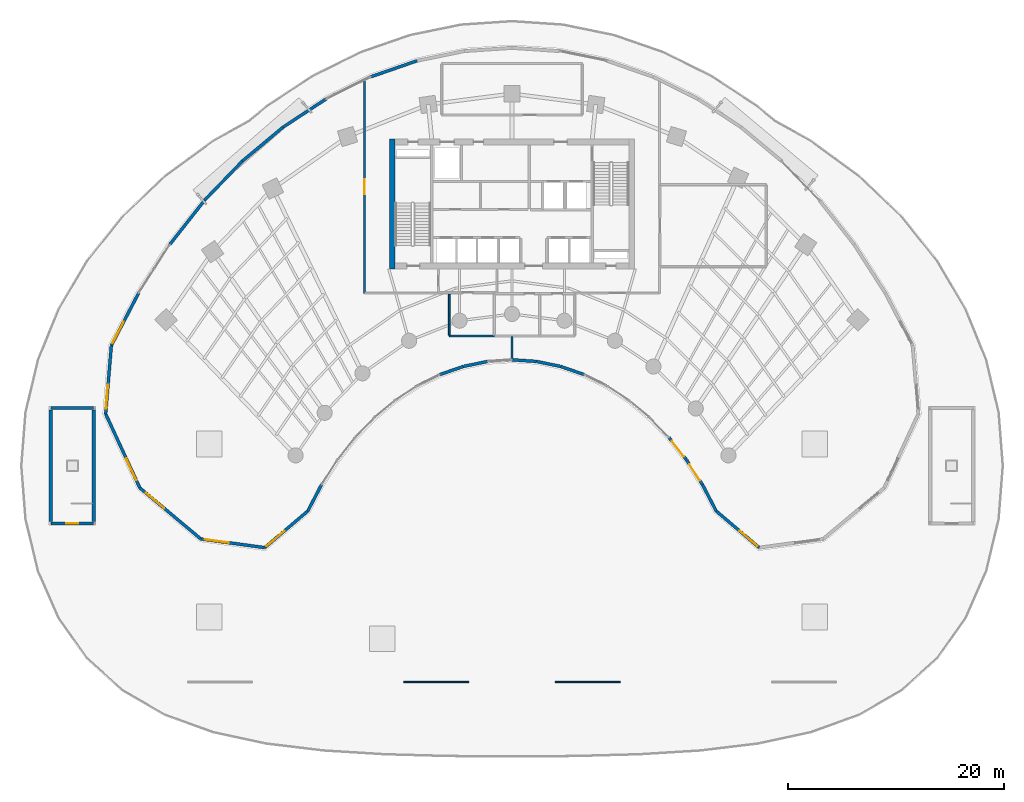
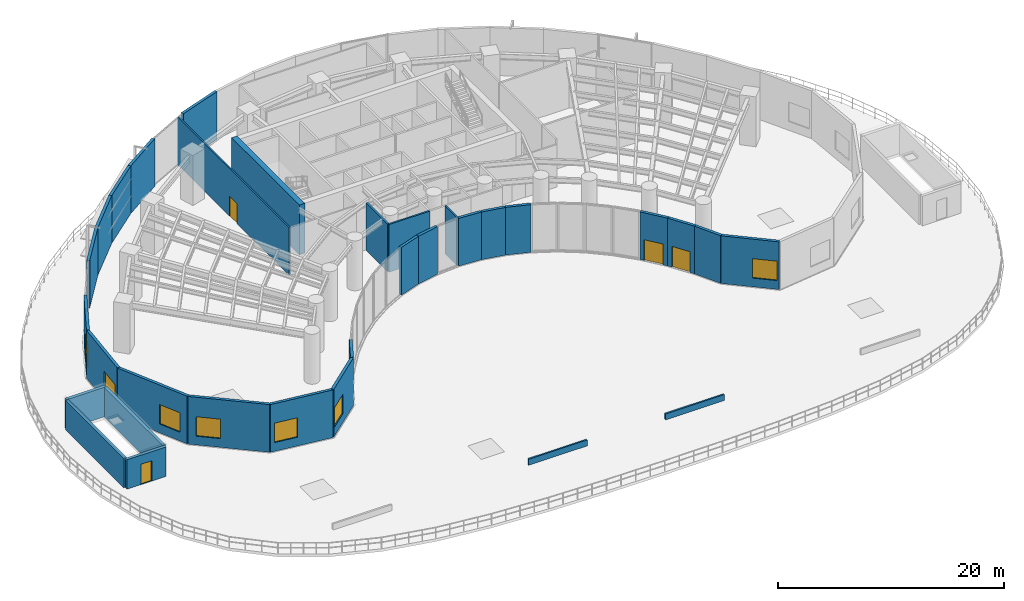
# One storey, part 9 of 17: 32 walls, 7 windows, 4 doors, 11 openings.
"""IFC4 building model written with IfcOpenShell, lengths in metres."""

from ifc_helpers import new_model, si_unit, direction, frame, frame_2d, origin, place, context, subcontext, project, spatial, rectangle, extrude, source, transform, mapped, material, layer, layer_set, type_object, type_shapes, element, fill, save


model = new_model("IFC4")

# Units and contexts
model_context = context("Model", 3, precision=1e-05, world=origin(), true_north=direction((0.0, 1.0)))
body_context = subcontext(model_context, "Body", "Model", "MODEL_VIEW")
ifc_project = project(units=[si_unit("LENGTHUNIT", "METRE"), si_unit("AREAUNIT", "SQUARE_METRE"), si_unit("VOLUMEUNIT", "CUBIC_METRE"), si_unit("PLANEANGLEUNIT", "RADIAN"), si_unit("MASSUNIT", "GRAM", prefix="KILO")], contexts=[model_context])

# Site, building, storey
site_placement = place(None, origin())
site = spatial("IfcSite", under=ifc_project, at=site_placement, CompositionType="ELEMENT")
building_placement = place(site_placement, origin())
building = spatial("IfcBuilding", under=site, at=building_placement, Name="Breltana Convention Tower", CompositionType="ELEMENT")
storey_placement = place(building_placement, frame((0.0, 0.0, 30.0)))
storey = spatial("IfcBuildingStorey", under=building, at=storey_placement, Name="L05", CompositionType="ELEMENT", Elevation=30.0)

# Wall
ifc_material_1 = material(Name="Concrete C60/75", Category="concrete")
ifc_layer_1 = layer(ifc_material_1, 0.550048828125, Name="Concrete C60/75")
ifc_layer_set_1 = layer_set([ifc_layer_1], Name="Concrete C60/75")
wall_type_1 = type_object("IfcWallType", Name="SW-CORE-550", PredefinedType="SHEAR", material=ifc_layer_set_1)
shared_shape_1 = source(origin(), body_context, "Body", "SweptSolid", [
    extrude(rectangle(XDim=12.0, YDim=0.550048828125, at=frame_2d((6.0, 0.0))), origin(), (0.0, 0.0, 1.0), 5.39990234375),
])
wall_1_placement = place(storey_placement, frame((36.925048828125, 60.199951171875, 0.0), z_axis=(0.0, 0.0, 1.0), x_axis=(0.0, 1.0, 0.0)))
element("IfcWall", 1, at=wall_1_placement, inside=storey, type_object=wall_type_1, Name="L05 West Core Shear Wall", PredefinedType="SHEAR", context=body_context, shape_type="MappedRepresentation", body=[
    mapped(shared_shape_1, transform((0.0, 0.0, 0.0), scale=1.0)),
])

# Wall, opening, window
ifc_material_2 = material(Name="Limestone Buff Insulated Wall", Category="masonry")
ifc_layer_2 = layer(ifc_material_2, 0.280029296875, Name="Limestone Buff Insulated Wall")
ifc_layer_set_2 = layer_set([ifc_layer_2], Name="Limestone Buff Insulated Wall")
wall_type_2 = type_object("IfcWallType", Name="WL-EXT-NOSE-280", PredefinedType="SOLIDWALL", material=ifc_layer_set_2)
shared_shape_2 = source(origin(), body_context, "Body", "SweptSolid", [
    extrude(rectangle(XDim=6.3525390625, YDim=0.280029296875, at=frame_2d((3.17626953125, 0.0))), origin(), (0.0, 0.0, 1.0), 5.159912109375),
])
type_shapes(wall_type_2, [shared_shape_2])
wall_2_placement = place(storey_placement, frame((10.417724609375, 46.79150390625, 0.0), z_axis=(0.0, 0.0, 1.0), x_axis=(0.083319001377, 0.996522926986, 0.0)))
wall_2 = element("IfcWall", 2, at=wall_2_placement, inside=storey, type_object=wall_type_2, Name="L05 curved limestone nose wall W6", PredefinedType="SOLIDWALL", context=body_context, shape_type="MappedRepresentation", body=[
    mapped(shared_shape_2, transform((0.0, 0.0, 0.0), scale=1.0)),
])
opening_1_placement = place(wall_2_placement, frame((0.488037109375, 0.0, 0.949951171875)))
opening_1 = element("IfcOpeningElement", 3, at=opening_1_placement, cuts=wall_2, Name="Opening W-03", PredefinedType="OPENING", context=body_context, shape_type="SweptSolid", body=[
    extrude(rectangle(XDim=2.199951171875, YDim=2.10009765625, at=frame_2d((1.10009765625, 1.050048828125))), frame((0.0, 0.14990234375, 0.0), z_axis=(0.0, -1.0, 0.0), x_axis=(1.0, 0.0, 0.0)), (0.0, 0.0, 1.0), 0.300048828125),
])
ifc_material_3 = material(Name="Glass Low-E Insulated Window", Category="glass")
window_type = type_object("IfcWindowType", Name="WN-NOSE-2200X2100", PartitioningType="TRIPLE_PANEL_VERTICAL", PredefinedType="WINDOW", material=ifc_material_3)
shared_shape_3 = source(origin(), body_context, "Body", "SweptSolid", [
    extrude(rectangle(XDim=2.199951171875, YDim=2.10009765625, at=frame_2d((1.10009765625, 1.050048828125))), frame((0.0, 0.030029296875, 0.0), z_axis=(0.0, -1.0, 0.0), x_axis=(1.0, 0.0, 0.0)), (0.0, 0.0, 1.0), 0.06005859375),
])
type_shapes(window_type, [shared_shape_3])
window_1_placement = place(opening_1_placement, origin())
window_1 = element("IfcWindow", 4, at=window_1_placement, inside=storey, type_object=window_type, Name="L05 nose window W6", OverallHeight=2.10009765625, OverallWidth=2.199951171875, PartitioningType="TRIPLE_PANEL_VERTICAL", PredefinedType="WINDOW", context=body_context, shape_type="MappedRepresentation", body=[
    mapped(shared_shape_3, transform((0.0, 0.0, 0.0), scale=1.0)),
])
fill(opening_1, window_1)

shared_shape_4 = source(origin(), body_context, "Body", "SweptSolid", [
    extrude(rectangle(XDim=7.536376953125, YDim=0.280029296875, at=frame_2d((3.76806640625, 0.0))), origin(), (0.0, 0.0, 1.0), 5.159912109375),
])
wall_3_placement = place(storey_placement, frame((13.580322265625, 39.950927734375, 0.0), z_axis=(0.0, 0.0, 1.0), x_axis=(-0.41964973873, 0.907686122393, 0.0)))
wall_3 = element("IfcWall", 5, at=wall_3_placement, inside=storey, type_object=wall_type_2, Name="L05 curved limestone nose wall W5", PredefinedType="SOLIDWALL", context=body_context, shape_type="MappedRepresentation", body=[
    mapped(shared_shape_4, transform((0.0, 0.0, 0.0), scale=1.0)),
])
opening_2_placement = place(wall_3_placement, frame((0.7841796875, 0.0, 0.949951171875)))
opening_2 = element("IfcOpeningElement", 6, at=opening_2_placement, cuts=wall_3, Name="Opening W-03", PredefinedType="OPENING", context=body_context, shape_type="SweptSolid", body=[
    extrude(rectangle(XDim=2.199951171875, YDim=2.10009765625, at=frame_2d((1.10009765625, 1.050048828125))), frame((0.0, 0.14990234375, 0.0), z_axis=(0.0, -1.0, 0.0), x_axis=(1.0, 0.0, 0.0)), (0.0, 0.0, 1.0), 0.300048828125),
])
window_2_placement = place(opening_2_placement, origin())
window_2 = element("IfcWindow", 7, at=window_2_placement, inside=storey, type_object=window_type, Name="L05 nose window W5", OverallHeight=2.10009765625, OverallWidth=2.199951171875, PartitioningType="TRIPLE_PANEL_VERTICAL", PredefinedType="WINDOW", context=body_context, shape_type="MappedRepresentation", body=[
    mapped(shared_shape_3, transform((0.0, 0.0, 0.0), scale=1.0)),
])
fill(opening_2, window_2)

shared_shape_5 = source(origin(), body_context, "Body", "SweptSolid", [
    extrude(rectangle(XDim=7.35888671875, YDim=0.280029296875, at=frame_2d((3.679443359375, 0.0))), origin(), (0.0, 0.0, 1.0), 5.159912109375),
])
wall_4_placement = place(storey_placement, frame((19.22265625, 35.226806640625, 0.0), z_axis=(0.0, 0.0, 1.0), x_axis=(-0.766737165543, 0.641961150675, 0.0)))
wall_4 = element("IfcWall", 8, at=wall_4_placement, inside=storey, type_object=wall_type_2, Name="L05 curved limestone nose wall W4", PredefinedType="SOLIDWALL", context=body_context, shape_type="MappedRepresentation", body=[
    mapped(shared_shape_5, transform((0.0, 0.0, 0.0), scale=1.0)),
])
opening_3_placement = place(wall_4_placement, frame((4.419189453125, 0.0, 0.949951171875)))
opening_3 = element("IfcOpeningElement", 9, at=opening_3_placement, cuts=wall_4, Name="Opening W-03", PredefinedType="OPENING", context=body_context, shape_type="SweptSolid", body=[
    extrude(rectangle(XDim=2.199951171875, YDim=2.10009765625, at=frame_2d((1.10009765625, 1.050048828125))), frame((0.0, 0.14990234375, 0.0), z_axis=(0.0, -1.0, 0.0), x_axis=(1.0, 0.0, 0.0)), (0.0, 0.0, 1.0), 0.300048828125),
])
window_3_placement = place(opening_3_placement, origin())
window_3 = element("IfcWindow", 10, at=window_3_placement, inside=storey, type_object=window_type, Name="L05 nose window W4", OverallHeight=2.10009765625, OverallWidth=2.199951171875, PartitioningType="TRIPLE_PANEL_VERTICAL", PredefinedType="WINDOW", context=body_context, shape_type="MappedRepresentation", body=[
    mapped(shared_shape_3, transform((0.0, 0.0, 0.0), scale=1.0)),
])
fill(opening_3, window_3)

shared_shape_6 = source(origin(), body_context, "Body", "SweptSolid", [
    extrude(rectangle(XDim=5.96728515625, YDim=0.280029296875, at=frame_2d((2.983642578125, 0.0))), origin(), (0.0, 0.0, 1.0), 5.159912109375),
])
wall_5_placement = place(storey_placement, frame((25.1357421875, 34.4248046875, 0.0), z_axis=(0.0, 0.0, 1.0), x_axis=(-0.990927009341, 0.134401124099, 0.0)))
wall_5 = element("IfcWall", 11, at=wall_5_placement, inside=storey, type_object=wall_type_2, Name="L05 curved limestone nose wall W3", PredefinedType="SOLIDWALL", context=body_context, shape_type="MappedRepresentation", body=[
    mapped(shared_shape_6, transform((0.0, 0.0, 0.0), scale=1.0)),
])
opening_4_placement = place(wall_5_placement, frame((3.37548828125, 0.0, 0.949951171875)))
opening_4 = element("IfcOpeningElement", 12, at=opening_4_placement, cuts=wall_5, Name="Opening W-03", PredefinedType="OPENING", context=body_context, shape_type="SweptSolid", body=[
    extrude(rectangle(XDim=2.199951171875, YDim=2.10009765625, at=frame_2d((1.10009765625, 1.050048828125))), frame((0.0, 0.14990234375, 0.0), z_axis=(0.0, -1.0, 0.0), x_axis=(1.0, 0.0, 0.0)), (0.0, 0.0, 1.0), 0.300048828125),
])
window_4_placement = place(opening_4_placement, origin())
window_4 = element("IfcWindow", 13, at=window_4_placement, inside=storey, type_object=window_type, Name="L05 nose window W3", OverallHeight=2.10009765625, OverallWidth=2.199951171875, PartitioningType="TRIPLE_PANEL_VERTICAL", PredefinedType="WINDOW", context=body_context, shape_type="MappedRepresentation", body=[
    mapped(shared_shape_3, transform((0.0, 0.0, 0.0), scale=1.0)),
])
fill(opening_4, window_4)

shared_shape_7 = source(origin(), body_context, "Body", "SweptSolid", [
    extrude(rectangle(XDim=5.222412109375, YDim=0.280029296875, at=frame_2d((2.611328125, 0.0))), origin(), (0.0, 0.0, 1.0), 5.159912109375),
])
wall_6_placement = place(storey_placement, frame((70.8642578125, 34.4248046875, 0.0), z_axis=(0.0, 0.0, 1.0), x_axis=(-0.761900099546, 0.647694556339, 0.0)))
wall_6 = element("IfcWall", 14, at=wall_6_placement, inside=storey, type_object=wall_type_2, Name="L05 curved limestone nose wall E5", PredefinedType="SOLIDWALL", context=body_context, shape_type="MappedRepresentation", body=[
    mapped(shared_shape_7, transform((0.0, 0.0, 0.0), scale=1.0)),
])
opening_5_placement = place(wall_6_placement, frame((0.20556640625, 0.0, 0.949951171875)))
opening_5 = element("IfcOpeningElement", 15, at=opening_5_placement, cuts=wall_6, Name="Opening W-03", PredefinedType="OPENING", context=body_context, shape_type="SweptSolid", body=[
    extrude(rectangle(XDim=2.199951171875, YDim=2.10009765625, at=frame_2d((1.10009765625, 1.050048828125))), frame((0.0, 0.14990234375, 0.0), z_axis=(0.0, -1.0, 0.0), x_axis=(1.0, 0.0, 0.0)), (0.0, 0.0, 1.0), 0.300048828125),
])
window_5_placement = place(opening_5_placement, origin())
window_5 = element("IfcWindow", 16, at=window_5_placement, inside=storey, type_object=window_type, Name="L05 nose window E5", OverallHeight=2.10009765625, OverallWidth=2.199951171875, PartitioningType="TRIPLE_PANEL_VERTICAL", PredefinedType="WINDOW", context=body_context, shape_type="MappedRepresentation", body=[
    mapped(shared_shape_3, transform((0.0, 0.0, 0.0), scale=1.0)),
])
fill(opening_5, window_5)

wall_7_placement = place(storey_placement, frame((29.11474609375, 37.807373046875, 0.0), z_axis=(0.0, 0.0, 1.0), x_axis=(-0.761900099546, -0.647694556339, 0.0)))
wall_7 = element("IfcWall", 17, at=wall_7_placement, inside=storey, type_object=wall_type_2, Name="L05 curved limestone nose wall W2", PredefinedType="SOLIDWALL", context=body_context, shape_type="MappedRepresentation", body=[
    mapped(shared_shape_7, transform((0.0, 0.0, 0.0), scale=1.0)),
])
opening_6_placement = place(wall_7_placement, frame((2.816650390625, 0.0, 0.949951171875)))
opening_6 = element("IfcOpeningElement", 18, at=opening_6_placement, cuts=wall_7, Name="Opening W-03", PredefinedType="OPENING", context=body_context, shape_type="SweptSolid", body=[
    extrude(rectangle(XDim=2.199951171875, YDim=2.10009765625, at=frame_2d((1.10009765625, 1.050048828125))), frame((0.0, 0.14990234375, 0.0), z_axis=(0.0, -1.0, 0.0), x_axis=(1.0, 0.0, 0.0)), (0.0, 0.0, 1.0), 0.300048828125),
])
window_6_placement = place(opening_6_placement, origin())
window_6 = element("IfcWindow", 19, at=window_6_placement, inside=storey, type_object=window_type, Name="L05 nose window W2", OverallHeight=2.10009765625, OverallWidth=2.199951171875, PartitioningType="TRIPLE_PANEL_VERTICAL", PredefinedType="WINDOW", context=body_context, shape_type="MappedRepresentation", body=[
    mapped(shared_shape_3, transform((0.0, 0.0, 0.0), scale=1.0)),
])
fill(opening_6, window_6)

# Walls
shared_shape_8 = source(origin(), body_context, "Body", "SweptSolid", [
    extrude(rectangle(XDim=2.7353515625, YDim=0.280029296875, at=frame_2d((1.36767578125, 0.0))), origin(), (0.0, 0.0, 1.0), 5.159912109375),
])
for number, where, z_axis, x_axis, name in (
    (20, (66.88525390625, 37.807373046875, 0.0), (0.0, 0.0, 1.0), (-0.46179107292, 0.886988728774, 0.0), "L05 curved limestone nose wall E6"),
    (21, (30.3779296875, 40.233642578125, 0.0), (0.0, 0.0, 1.0), (-0.46179107292, -0.886988728774, 0.0), "L05 curved limestone nose wall W1"),
):
    element("IfcWall", number, at=place(storey_placement, frame(where, z_axis=z_axis, x_axis=x_axis)), inside=storey, type_object=wall_type_2, Name=name, PredefinedType="SOLIDWALL", context=body_context, shape_type="MappedRepresentation", body=[
        mapped(shared_shape_8, transform((0.0, 0.0, 0.0), scale=1.0)),
    ])

# Wall, opening, door
shared_shape_9 = source(origin(), body_context, "Body", "SweptSolid", [
    extrude(rectangle(XDim=2.699462890625, YDim=0.280029296875, at=frame_2d((1.349609375, 0.0))), origin(), (0.0, 0.0, 1.0), 5.159912109375),
])
wall_8_placement = place(storey_placement, frame((65.614013671875, 40.247802734375, 0.0), z_axis=(0.0, 0.0, 1.0), x_axis=(-0.540195243629, 0.841539719063, 0.0)))
wall_8 = element("IfcWall", 22, at=wall_8_placement, inside=storey, type_object=wall_type_2, Name="L05 Sky Foyer garden portal wall 1", PredefinedType="SOLIDWALL", context=body_context, shape_type="MappedRepresentation", body=[
    mapped(shared_shape_9, transform((0.0, 0.0, 0.0), scale=1.0)),
])
opening_7_placement = place(wall_8_placement, frame((0.44970703125, 0.0, 0.0)))
opening_7 = element("IfcOpeningElement", 23, at=opening_7_placement, cuts=wall_8, Name="Opening ED-03", PredefinedType="OPENING", context=body_context, shape_type="SweptSolid", body=[
    extrude(rectangle(XDim=1.800048828125, YDim=2.25, at=frame_2d((0.89990234375, 1.125))), frame((0.0, 0.14990234375, 0.0), z_axis=(0.0, -1.0, 0.0), x_axis=(1.0, 0.0, 0.0)), (0.0, 0.0, 1.0), 0.300048828125),
])
ifc_material_4 = material(Name="Aluminium Bronze Terrace Door", Category="aluminium")
door_type_1 = type_object("IfcDoorType", Name="DR-TER-DBL-1800", OperationType="DOUBLE_DOOR_SINGLE_SWING", PredefinedType="DOOR", material=ifc_material_4)
shared_shape_10 = source(origin(), body_context, "Body", "SweptSolid", [
    extrude(rectangle(XDim=1.800048828125, YDim=2.25, at=frame_2d((0.89990234375, 1.125))), frame((0.0, 0.02490234375, 0.0), z_axis=(0.0, -1.0, 0.0), x_axis=(1.0, 0.0, 0.0)), (0.0, 0.0, 1.0), 0.050048828125),
])
type_shapes(door_type_1, [shared_shape_10])
door_1_placement = place(opening_7_placement, origin())
door_1 = element("IfcDoor", 24, at=door_1_placement, inside=storey, type_object=door_type_1, Name="L05 Raised Public Garden Deck access door 1", OperationType="DOUBLE_DOOR_SINGLE_SWING", OverallHeight=2.25, OverallWidth=1.800048828125, PredefinedType="DOOR", context=body_context, shape_type="MappedRepresentation", body=[
    mapped(shared_shape_10, transform((0.0, 0.0, 0.0), scale=1.0)),
])
fill(opening_7, door_1)

shared_shape_11 = source(origin(), body_context, "Body", "SweptSolid", [
    extrude(rectangle(XDim=2.6240234375, YDim=0.280029296875, at=frame_2d((1.31201171875, 0.0))), origin(), (0.0, 0.0, 1.0), 5.159912109375),
])
wall_9_placement = place(storey_placement, frame((64.145751953125, 42.53369140625, 0.0), z_axis=(0.0, 0.0, 1.0), x_axis=(-0.618137886449, 0.786069687328, 0.0)))
wall_9 = element("IfcWall", 25, at=wall_9_placement, inside=storey, type_object=wall_type_2, Name="L05 Sky Foyer garden portal wall 2", PredefinedType="SOLIDWALL", context=body_context, shape_type="MappedRepresentation", body=[
    mapped(shared_shape_11, transform((0.0, 0.0, 0.0), scale=1.0)),
])
opening_8_placement = place(wall_9_placement, frame((0.412109375, 0.0, 0.0)))
opening_8 = element("IfcOpeningElement", 26, at=opening_8_placement, cuts=wall_9, Name="Opening ED-03", PredefinedType="OPENING", context=body_context, shape_type="SweptSolid", body=[
    extrude(rectangle(XDim=1.800048828125, YDim=2.25, at=frame_2d((0.89990234375, 1.125))), frame((0.0, 0.14990234375, 0.0), z_axis=(0.0, -1.0, 0.0), x_axis=(1.0, 0.0, 0.0)), (0.0, 0.0, 1.0), 0.300048828125),
])
door_2_placement = place(opening_8_placement, origin())
door_2 = element("IfcDoor", 27, at=door_2_placement, inside=storey, type_object=door_type_1, Name="L05 Raised Public Garden Deck access door 2", OperationType="DOUBLE_DOOR_SINGLE_SWING", OverallHeight=2.25, OverallWidth=1.800048828125, PredefinedType="DOOR", context=body_context, shape_type="MappedRepresentation", body=[
    mapped(shared_shape_10, transform((0.0, 0.0, 0.0), scale=1.0)),
])
fill(opening_8, door_2)

# Walls
shared_shape_12 = source(origin(), body_context, "Body", "SweptSolid", [
    extrude(rectangle(XDim=2.291259765625, YDim=0.280029296875, at=frame_2d((1.1455078125, 0.0))), origin(), (0.0, 0.0, 1.0), 5.159912109375),
])
for number, where, z_axis, x_axis, name in (
    (28, (54.667724609375, 50.428955078125, 0.0), (0.0, 0.0, 1.0), (-0.944877079191, 0.327425266616, 0.0), "L05 curved limestone nose wall E7"),
    (29, (43.497314453125, 51.17919921875, 0.0), (0.0, 0.0, 1.0), (-0.944877079191, -0.327425266616, 0.0), "L05 curved limestone nose wall E11"),
):
    element("IfcWall", number, at=place(storey_placement, frame(where, z_axis=z_axis, x_axis=x_axis)), inside=storey, type_object=wall_type_2, Name=name, PredefinedType="SOLIDWALL", context=body_context, shape_type="MappedRepresentation", body=[
        mapped(shared_shape_12, transform((0.0, 0.0, 0.0), scale=1.0)),
    ])
shared_shape_13 = source(origin(), body_context, "Body", "SweptSolid", [
    extrude(rectangle(XDim=2.25634765625, YDim=0.280029296875, at=frame_2d((1.128173828125, 0.0))), origin(), (0.0, 0.0, 1.0), 5.159912109375),
])
for number, where, z_axis, x_axis, name in (
    (30, (52.47998046875, 51.185302734375, 0.0), (0.0, 0.0, 1.0), (-0.979607615251, 0.200920183512, 0.0), "L05 curved limestone nose wall E8"),
    (31, (45.73046875, 51.638671875, 0.0), (0.0, 0.0, 1.0), (-0.979607615251, -0.200920183512, 0.0), "L05 curved limestone nose wall E10"),
):
    element("IfcWall", number, at=place(storey_placement, frame(where, z_axis=z_axis, x_axis=x_axis)), inside=storey, type_object=wall_type_2, Name=name, PredefinedType="SOLIDWALL", context=body_context, shape_type="MappedRepresentation", body=[
        mapped(shared_shape_13, transform((0.0, 0.0, 0.0), scale=1.0)),
    ])
shared_shape_14 = source(origin(), body_context, "Body", "SweptSolid", [
    extrude(rectangle(XDim=2.238525390625, YDim=0.280029296875, at=frame_2d((1.119140625, 0.0))), origin(), (0.0, 0.0, 1.0), 5.159912109375),
])
wall_10_placement = place(storey_placement, frame((50.24560546875, 51.64208984375, 0.0), z_axis=(0.0, 0.0, 1.0), x_axis=(-0.997703835129, 0.067727818279, 0.0)))
element("IfcWall", 32, at=wall_10_placement, inside=storey, type_object=wall_type_2, Name="L05 curved limestone nose wall E9", PredefinedType="SOLIDWALL", context=body_context, shape_type="MappedRepresentation", body=[
    mapped(shared_shape_14, transform((0.0, 0.0, 0.0), scale=1.0)),
])

# Wall, opening, window
shared_shape_15 = source(origin(), body_context, "Body", "SweptSolid", [
    extrude(rectangle(XDim=5.45947265625, YDim=0.280029296875, at=frame_2d((2.729736328125, 0.0))), origin(), (0.0, 0.0, 1.0), 5.159912109375),
])
wall_11_placement = place(storey_placement, frame((10.947021484375, 53.1220703125, 0.0), z_axis=(0.0, 0.0, 1.0), x_axis=(0.461768054321, 0.887000712518, 0.0)))
wall_11 = element("IfcWall", 33, at=wall_11_placement, inside=storey, type_object=wall_type_2, Name="L05 curved limestone nose wall W7", PredefinedType="SOLIDWALL", context=body_context, shape_type="MappedRepresentation", body=[
    mapped(shared_shape_15, transform((0.0, 0.0, 0.0), scale=1.0)),
])
opening_9_placement = place(wall_11_placement, frame((0.264892578125, 0.0, 0.949951171875)))
opening_9 = element("IfcOpeningElement", 34, at=opening_9_placement, cuts=wall_11, Name="Opening W-03", PredefinedType="OPENING", context=body_context, shape_type="SweptSolid", body=[
    extrude(rectangle(XDim=2.199951171875, YDim=2.10009765625, at=frame_2d((1.10009765625, 1.050048828125))), frame((0.0, 0.14990234375, 0.0), z_axis=(0.0, -1.0, 0.0), x_axis=(1.0, 0.0, 0.0)), (0.0, 0.0, 1.0), 0.300048828125),
])
window_7_placement = place(opening_9_placement, origin())
window_7 = element("IfcWindow", 35, at=window_7_placement, inside=storey, type_object=window_type, Name="L05 nose window W7", OverallHeight=2.10009765625, OverallWidth=2.199951171875, PartitioningType="TRIPLE_PANEL_VERTICAL", PredefinedType="WINDOW", context=body_context, shape_type="MappedRepresentation", body=[
    mapped(shared_shape_3, transform((0.0, 0.0, 0.0), scale=1.0)),
])
fill(opening_9, window_7)

# Walls
shared_shape_16 = source(origin(), body_context, "Body", "SweptSolid", [
    extrude(rectangle(XDim=5.194580078125, YDim=0.280029296875, at=frame_2d((2.59716796875, 0.0))), origin(), (0.0, 0.0, 1.0), 5.159912109375),
])
wall_12_placement = place(storey_placement, frame((16.355712890625, 62.463134765625, 0.0), z_axis=(0.0, 0.0, 1.0), x_axis=(0.618168122607, 0.786045909724, 0.0)))
element("IfcWall", 36, at=wall_12_placement, inside=storey, type_object=wall_type_2, Name="L05 curved limestone nose wall E12", PredefinedType="SOLIDWALL", context=body_context, shape_type="MappedRepresentation", body=[
    mapped(shared_shape_16, transform((0.0, 0.0, 0.0), scale=1.0)),
])
shared_shape_17 = source(origin(), body_context, "Body", "SweptSolid", [
    extrude(rectangle(XDim=5.041015625, YDim=0.280029296875, at=frame_2d((2.5205078125, 0.0))), origin(), (0.0, 0.0, 1.0), 5.159912109375),
])
wall_13_placement = place(storey_placement, frame((19.56689453125, 66.54638671875, 0.0), z_axis=(0.0, 0.0, 1.0), x_axis=(0.694599699541, 0.719396453562, 0.0)))
element("IfcWall", 37, at=wall_13_placement, inside=storey, type_object=wall_type_2, Name="L05 curved limestone nose wall E13", PredefinedType="SOLIDWALL", context=body_context, shape_type="MappedRepresentation", body=[
    mapped(shared_shape_17, transform((0.0, 0.0, 0.0), scale=1.0)),
])
shared_shape_18 = source(origin(), body_context, "Body", "SweptSolid", [
    extrude(rectangle(XDim=4.890869140625, YDim=0.280029296875, at=frame_2d((2.4453125, 0.0))), origin(), (0.0, 0.0, 1.0), 5.159912109375),
])
wall_14_placement = place(storey_placement, frame((23.068359375, 70.1728515625, 0.0), z_axis=(0.0, 0.0, 1.0), x_axis=(0.767926604795, 0.640537844041, 0.0)))
element("IfcWall", 38, at=wall_14_placement, inside=storey, type_object=wall_type_2, Name="L05 curved limestone nose wall E14", PredefinedType="SOLIDWALL", context=body_context, shape_type="MappedRepresentation", body=[
    mapped(shared_shape_18, transform((0.0, 0.0, 0.0), scale=1.0)),
])
shared_shape_19 = source(origin(), body_context, "Body", "SweptSolid", [
    extrude(rectangle(XDim=4.750732421875, YDim=0.280029296875, at=frame_2d((2.37548828125, 0.0))), origin(), (0.0, 0.0, 1.0), 5.159912109375),
])
wall_15_placement = place(storey_placement, frame((26.82421875, 73.3056640625, 0.0), z_axis=(0.0, 0.0, 1.0), x_axis=(0.835982341491, 0.548756343668, 0.0)))
element("IfcWall", 39, at=wall_15_placement, inside=storey, type_object=wall_type_2, Name="L05 curved limestone nose wall E15", PredefinedType="SOLIDWALL", context=body_context, shape_type="MappedRepresentation", body=[
    mapped(shared_shape_19, transform((0.0, 0.0, 0.0), scale=1.0)),
])
shared_shape_20 = source(origin(), body_context, "Body", "SweptSolid", [
    extrude(rectangle(XDim=4.528076171875, YDim=0.280029296875, at=frame_2d((2.26416015625, 0.0))), origin(), (0.0, 0.0, 1.0), 5.159912109375),
])
wall_16_placement = place(storey_placement, frame((34.94189453125, 77.9677734375, 0.0), z_axis=(0.0, 0.0, 1.0), x_axis=(0.944875124863, 0.327430906322, 0.0)))
element("IfcWall", 40, at=wall_16_placement, inside=storey, type_object=wall_type_2, Name="L05 curved limestone nose wall E16", PredefinedType="SOLIDWALL", context=body_context, shape_type="MappedRepresentation", body=[
    mapped(shared_shape_20, transform((0.0, 0.0, 0.0), scale=1.0)),
])

# Wall, opening, door
ifc_layer_3 = layer(ifc_material_2, 0.35009765625, Name="Limestone Buff Insulated Wall")
ifc_layer_set_3 = layer_set([ifc_layer_3], Name="Limestone Buff Insulated Wall")
wall_type_3 = type_object("IfcWallType", Name="WL-EXT-POD-350", PredefinedType="SOLIDWALL", material=ifc_layer_set_3)
shared_shape_21 = source(origin(), body_context, "Body", "SweptSolid", [
    extrude(rectangle(XDim=3.969970703125, YDim=0.300048828125, at=frame_2d((1.98486328125, 0.0))), origin(), (0.0, 0.0, 1.0), 3.18994140625),
])
wall_17_placement = place(storey_placement, frame((5.35009765625, 36.64990234375, 0.0), z_axis=(0.0, 0.0, 1.0), x_axis=(1.0, 0.0, 0.0)))
wall_17 = element("IfcWall", 41, at=wall_17_placement, inside=storey, type_object=wall_type_3, Name="L05 ST3 headhouse bearing wall S", PredefinedType="SOLIDWALL", context=body_context, shape_type="MappedRepresentation", body=[
    mapped(shared_shape_21, transform((0.0, 0.0, 0.0), scale=1.0)),
])
opening_10_placement = place(wall_17_placement, frame((1.43505859375, 0.0, 0.0)))
opening_10 = element("IfcOpeningElement", 42, at=opening_10_placement, cuts=wall_17, Name="Opening ED-02", PredefinedType="OPENING", context=body_context, shape_type="SweptSolid", body=[
    extrude(rectangle(XDim=1.10009765625, YDim=2.199951171875, at=frame_2d((0.550048828125, 1.10009765625))), frame((0.0, 0.16015625, 0.0), z_axis=(0.0, -1.0, 0.0), x_axis=(1.0, 0.0, 0.0)), (0.0, 0.0, 1.0), 0.320068359375),
])
ifc_material_5 = material(Name="Steel Insulated Fire Door", Category="steel")
door_type_2 = type_object("IfcDoorType", Name="DR-EXT-FCC-1100", OperationType="NOTDEFINED", PredefinedType="DOOR", material=ifc_material_5)
shared_shape_22 = source(origin(), body_context, "Body", "SweptSolid", [
    extrude(rectangle(XDim=1.10009765625, YDim=2.199951171875, at=frame_2d((0.550048828125, 1.10009765625))), frame((0.0, 0.02490234375, 0.0), z_axis=(0.0, -1.0, 0.0), x_axis=(1.0, 0.0, 0.0)), (0.0, 0.0, 1.0), 0.050048828125),
])
type_shapes(door_type_2, [shared_shape_22])
door_3_placement = place(opening_10_placement, origin())
door_3 = element("IfcDoor", 43, at=door_3_placement, inside=storey, type_object=door_type_2, Name="L05 ST3 garden headhouse exit door", OperationType="SINGLE_SWING_LEFT", OverallHeight=2.199951171875, OverallWidth=1.10009765625, PredefinedType="DOOR", context=body_context, shape_type="MappedRepresentation", body=[
    mapped(shared_shape_22, transform((0.0, 0.0, 0.0), scale=1.0)),
])
fill(opening_10, door_3)

# Walls
wall_18_placement = place(storey_placement, frame((5.35009765625, 47.35009765625, 0.0), z_axis=(0.0, 0.0, 1.0), x_axis=(1.0, 0.0, 0.0)))
element("IfcWall", 44, at=wall_18_placement, inside=storey, type_object=wall_type_3, Name="L05 ST3 headhouse bearing wall N", PredefinedType="SOLIDWALL", context=body_context, shape_type="MappedRepresentation", body=[
    mapped(shared_shape_21, transform((0.0, 0.0, 0.0), scale=1.0)),
])
shared_shape_23 = source(origin(), body_context, "Body", "SweptSolid", [
    extrude(rectangle(XDim=10.33984375, YDim=0.300048828125, at=frame_2d((5.169921875, 0.0))), origin(), (0.0, 0.0, 1.0), 3.18994140625),
])
for number, where, z_axis, x_axis, name in (
    (45, (5.35009765625, 36.830078125, 0.0), (0.0, 0.0, 1.0), (0.0, 1.0, 0.0), "L05 ST3 headhouse bearing wall W"),
    (46, (9.320068359375, 36.830078125, 0.0), (0.0, 0.0, 1.0), (0.0, 1.0, 0.0), "L05 ST3 headhouse bearing wall E"),
):
    element("IfcWall", number, at=place(storey_placement, frame(where, z_axis=z_axis, x_axis=x_axis)), inside=storey, type_object=wall_type_3, Name=name, PredefinedType="SOLIDWALL", context=body_context, shape_type="MappedRepresentation", body=[
        mapped(shared_shape_23, transform((0.0, 0.0, 0.0), scale=1.0)),
    ])
ifc_material_6 = material(Name="Cement Board Wet-Area Partition")
ifc_layer_4 = layer(ifc_material_6, 0.175048828125, Name="Cement Board Wet-Area Partition")
ifc_layer_set_4 = layer_set([ifc_layer_4], Name="Cement Board Wet-Area Partition")
wall_type_4 = type_object("IfcWallType", Name="WL-WET-175", PredefinedType="PARTITIONING", material=ifc_layer_set_4)
shared_shape_24 = source(origin(), body_context, "Body", "SweptSolid", [
    extrude(rectangle(XDim=4.176025390625, YDim=0.175048828125, at=frame_2d((2.087890625, 0.0))), origin(), (0.0, 0.0, 1.0), 5.159912109375),
])
wall_19_placement = place(storey_placement, frame((42.199951171875, 54.0, 0.0), z_axis=(0.0, 0.0, 1.0), x_axis=(1.0, 0.0, 0.0)))
element("IfcWall", 47, at=wall_19_placement, inside=storey, type_object=wall_type_4, Name="L05 interior partition W-L05-WCM-S", PredefinedType="PARTITIONING", context=body_context, shape_type="MappedRepresentation", body=[
    mapped(shared_shape_24, transform((0.0, 0.0, 0.0), scale=1.0)),
])
shared_shape_25 = source(origin(), body_context, "Body", "SweptSolid", [
    extrude(rectangle(XDim=3.7626953125, YDim=0.175048828125, at=frame_2d((1.88134765625, 0.0))), origin(), (0.0, 0.0, 1.0), 5.159912109375),
])
wall_20_placement = place(storey_placement, frame((42.199951171875, 54.07861328125, 0.0), z_axis=(0.0, 0.0, 1.0), x_axis=(0.0, 1.0, 0.0)))
element("IfcWall", 48, at=wall_20_placement, inside=storey, type_object=wall_type_4, Name="L05 interior partition W-L05-WCM-W", PredefinedType="PARTITIONING", context=body_context, shape_type="MappedRepresentation", body=[
    mapped(shared_shape_25, transform((0.0, 0.0, 0.0), scale=1.0)),
])
ifc_material_7 = material(Name="Gypsum Acoustic Drywall Partition")
ifc_layer_5 = layer(ifc_material_7, 0.14990234375, Name="Gypsum Acoustic Drywall Partition")
ifc_layer_set_5 = layer_set([ifc_layer_5], Name="Gypsum Acoustic Drywall Partition")
wall_type_5 = type_object("IfcWallType", Name="WL-PART-150", PredefinedType="PARTITIONING", material=ifc_layer_set_5)
shared_shape_26 = source(origin(), body_context, "Body", "SweptSolid", [
    extrude(rectangle(XDim=2.146240234375, YDim=0.14990234375, at=frame_2d((1.0732421875, 0.0))), origin(), (0.0, 0.0, 1.0), 5.159912109375),
])
wall_21_placement = place(storey_placement, frame((48.0, 51.8037109375, 0.0), z_axis=(0.0, 0.0, 1.0), x_axis=(0.0, 1.0, 0.0)))
element("IfcWall", 49, at=wall_21_placement, inside=storey, type_object=wall_type_5, Name="L05 interior partition W-L05-L05-MID", PredefinedType="PARTITIONING", context=body_context, shape_type="MappedRepresentation", body=[
    mapped(shared_shape_26, transform((0.0, 0.0, 0.0), scale=1.0)),
])

# Wall, opening, door
shared_shape_27 = source(origin(), body_context, "Body", "SweptSolid", [
    extrude(rectangle(XDim=19.708251953125, YDim=0.14990234375, at=frame_2d((9.85400390625, 0.0))), origin(), (0.0, 0.0, 1.0), 5.159912109375),
])
wall_22_placement = place(storey_placement, frame((34.360107421875, 57.9599609375, 0.0), z_axis=(0.0, 0.0, 1.0), x_axis=(0.0, 1.0, 0.0)))
wall_22 = element("IfcWall", 50, at=wall_22_placement, inside=storey, type_object=wall_type_5, Name="L05 interior partition W-L05-L05-W", PredefinedType="PARTITIONING", context=body_context, shape_type="MappedRepresentation", body=[
    mapped(shared_shape_27, transform((0.0, 0.0, 0.0), scale=1.0)),
])
opening_11_placement = place(wall_22_placement, frame((9.154052734375, 0.0, 0.0)))
opening_11 = element("IfcOpeningElement", 51, at=opening_11_placement, cuts=wall_22, Name="Opening D-05", PredefinedType="OPENING", context=body_context, shape_type="SweptSolid", body=[
    extrude(rectangle(XDim=1.39990234375, YDim=2.14990234375, at=frame_2d((0.699951171875, 1.074951171875))), frame((0.0, 0.0849609375, 0.0), z_axis=(0.0, -1.0, 0.0), x_axis=(1.0, 0.0, 0.0)), (0.0, 0.0, 1.0), 0.169921875),
])
ifc_material_8 = material(Name="Timber Veneer Glazed Double Door", Category="wood")
door_type_3 = type_object("IfcDoorType", Name="DR-DBL-1400", OperationType="DOUBLE_DOOR_SINGLE_SWING", PredefinedType="DOOR", material=ifc_material_8)
shared_shape_28 = source(origin(), body_context, "Body", "SweptSolid", [
    extrude(rectangle(XDim=1.39990234375, YDim=2.14990234375, at=frame_2d((0.699951171875, 1.074951171875))), frame((0.0, 0.02490234375, 0.0), z_axis=(0.0, -1.0, 0.0), x_axis=(1.0, 0.0, 0.0)), (0.0, 0.0, 1.0), 0.050048828125),
])
type_shapes(door_type_3, [shared_shape_28])
door_4_placement = place(opening_11_placement, origin())
door_4 = element("IfcDoor", 52, at=door_4_placement, inside=storey, type_object=door_type_3, Name="L05 interior door D-L05-HFYW", OperationType="SINGLE_SWING_RIGHT", OverallHeight=2.14990234375, OverallWidth=1.39990234375, PredefinedType="DOOR", context=body_context, shape_type="MappedRepresentation", body=[
    mapped(shared_shape_28, transform((0.0, 0.0, 0.0), scale=1.0)),
])
fill(opening_11, door_4)

# Walls
ifc_material_9 = material(Name="Limestone Warm Buff Planter Kerb", Category="masonry")
ifc_layer_6 = layer(ifc_material_9, 0.1650390625, Name="Limestone Warm Buff Planter Kerb")
ifc_layer_set_6 = layer_set([ifc_layer_6], Name="Limestone Warm Buff Planter Kerb")
wall_type_6 = type_object("IfcWallType", Name="WL-PLANTER-200", PredefinedType="PARAPET", material=ifc_layer_set_6)
shared_shape_29 = source(origin(), body_context, "Body", "SweptSolid", [
    extrude(rectangle(XDim=6.0, YDim=0.1650390625, at=frame_2d((3.0, 0.0))), origin(), (0.0, 0.0, 1.0), 0.64990234375),
])
type_shapes(wall_type_6, [shared_shape_29])
for number, where, z_axis, x_axis, name in (
    (53, (38.0, 22.0, 0.0), (0.0, 0.0, 1.0), (1.0, 0.0, 0.0), "L05 landscaped terrace stone planter 3"),
    (54, (52.0, 22.0, 0.0), (0.0, 0.0, 1.0), (1.0, 0.0, 0.0), "L05 landscaped terrace stone planter 4"),
):
    element("IfcWall", number, at=place(storey_placement, frame(where, z_axis=z_axis, x_axis=x_axis)), inside=storey, type_object=wall_type_6, Name=name, PredefinedType="PARAPET", context=body_context, shape_type="MappedRepresentation", body=[
        mapped(shared_shape_29, transform((0.0, 0.0, 0.0), scale=1.0)),
    ])

save(model, "model.ifc")
